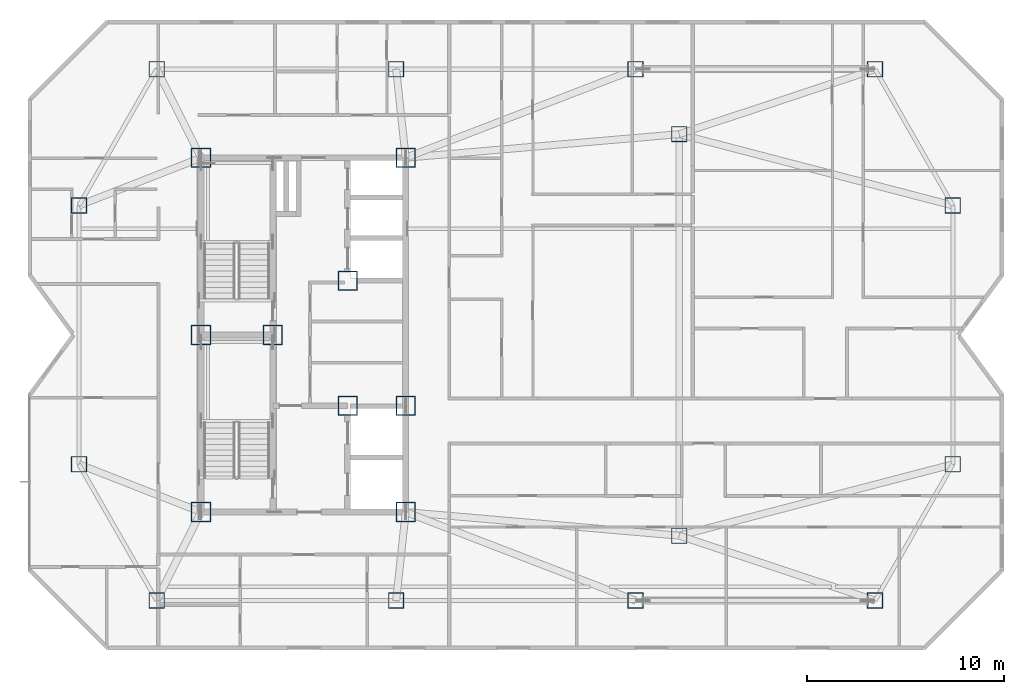
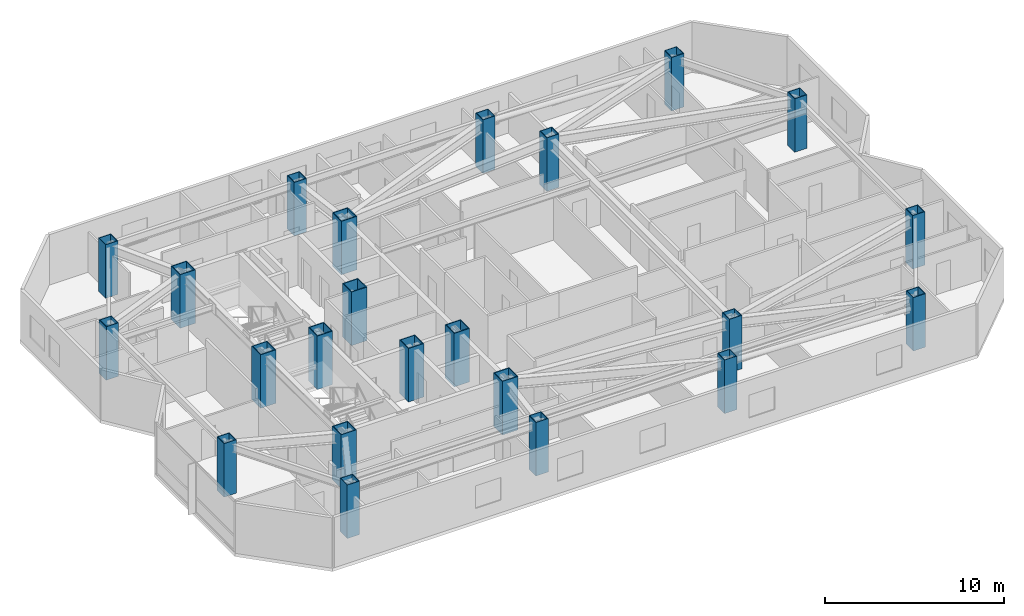
# One storey, part 1 of 14: 23 columns.
"""IFC4 building model written with IfcOpenShell, lengths in metres."""

from ifc_helpers import new_model, si_unit, direction, frame, origin, origin_2d, place, context, subcontext, project, spatial, hollow_rectangle, extrude, material, material_profile, profile_set, type_object, element, save


model = new_model("IFC4")

# Units and contexts
model_context = context("Model", 3, precision=1e-05, world=origin(), true_north=direction((0.0, 1.0)))
body_context = subcontext(model_context, "Body", "Model", "MODEL_VIEW")
ifc_project = project(units=[si_unit("LENGTHUNIT", "METRE"), si_unit("AREAUNIT", "SQUARE_METRE"), si_unit("VOLUMEUNIT", "CUBIC_METRE"), si_unit("PLANEANGLEUNIT", "RADIAN"), si_unit("MASSUNIT", "GRAM", prefix="KILO")], contexts=[model_context])

# Site, building, storey
site_placement = place(None, origin())
site = spatial("IfcSite", under=ifc_project, at=site_placement, CompositionType="ELEMENT")
building_placement = place(site_placement, origin())
building = spatial("IfcBuilding", under=site, at=building_placement, Name="Khamvora Tower", CompositionType="ELEMENT")
storey_placement = place(building_placement, frame((0.0, 0.0, 253.699951171875)))
storey = spatial("IfcBuildingStorey", under=building, at=storey_placement, Name="L65", CompositionType="ELEMENT", Elevation=253.699951171875)

# Columns
ifc_material_1 = material(Name="Steel S355", Category="steel")
ifc_material_profile_1 = material_profile(ifc_material_1, hollow_rectangle(XDim=0.800048828125, YDim=0.800048828125, WallThickness=0.0400390625, at=origin_2d()), Name="BOX800x800x40")
ifc_profile_set_1 = profile_set([ifc_material_profile_1], Name="Steel S355")
column_type_1 = type_object("IfcColumnType", Name="COL-BOX800", PredefinedType="COLUMN", material=ifc_profile_set_1)
for number, where, z_axis, x_axis, name in (
    (1, (26.75, 14.5, 0.0), (0.0, 0.0, 1.0), (1.0, 0.0, 0.0), "L65 structural frame column S1"),
    (2, (38.9169921875, 14.5, 0.0), (0.0, 0.0, 1.0), (1.0, 0.0, 0.0), "L65 structural frame column S2"),
    (3, (51.0830078125, 14.5, 0.0), (0.0, 0.0, 1.0), (1.0, 0.0, 0.0), "L65 structural frame column S3"),
    (4, (63.25, 14.5, 0.0), (0.0, 0.0, 1.0), (1.0, 0.0, 0.0), "L65 structural frame column S4"),
    (5, (26.75, 41.5, 0.0), (0.0, 0.0, 1.0), (1.0, 0.0, 0.0), "L65 structural frame column N1"),
    (6, (38.9169921875, 41.5, 0.0), (0.0, 0.0, 1.0), (1.0, 0.0, 0.0), "L65 structural frame column N2"),
    (7, (51.0830078125, 41.5, 0.0), (0.0, 0.0, 1.0), (1.0, 0.0, 0.0), "L65 structural frame column N3"),
    (8, (63.25, 41.5, 0.0), (0.0, 0.0, 1.0), (1.0, 0.0, 0.0), "L65 structural frame column N4"),
    (9, (22.800048828125, 21.425048828125, 0.0), (0.0, 0.0, 1.0), (1.0, 0.0, 0.0), "L65 structural frame column W1"),
    (10, (22.800048828125, 34.574951171875, 0.0), (0.0, 0.0, 1.0), (1.0, 0.0, 0.0), "L65 structural frame column W2"),
    (11, (67.199951171875, 21.425048828125, 0.0), (0.0, 0.0, 1.0), (1.0, 0.0, 0.0), "L65 structural frame column E1"),
    (12, (67.199951171875, 34.574951171875, 0.0), (0.0, 0.0, 1.0), (1.0, 0.0, 0.0), "L65 structural frame column E2"),
    (13, (53.300048828125, 17.800048828125, 0.0), (0.0, 0.0, 1.0), (1.0, 0.0, 0.0), "L65 structural frame column M1"),
    (14, (53.300048828125, 38.199951171875, 0.0), (0.0, 0.0, 1.0), (1.0, 0.0, 0.0), "L65 structural frame column M2"),
):
    element("IfcColumn", number, at=place(storey_placement, frame(where, z_axis=z_axis, x_axis=x_axis)), inside=storey, type_object=column_type_1, Name=name, PredefinedType="COLUMN", context=body_context, shape_type="SweptSolid", body=[
        extrude(hollow_rectangle(XDim=0.800048828125, YDim=0.800048828125, WallThickness=0.0400390625, at=origin_2d()), origin(), (0.0, 0.0, 1.0), 3.650146484375),
    ])
ifc_material_2 = material(Name="Structural Steel S460ML", Category="steel")
ifc_material_profile_2 = material_profile(ifc_material_2, hollow_rectangle(XDim=1.0, YDim=1.0, WallThickness=0.050048828125, at=origin_2d()), Name="BOX1000x1000x50")
ifc_profile_set_2 = profile_set([ifc_material_profile_2], Name="Structural Steel S460ML")
column_type_2 = type_object("IfcColumnType", Name="COL-SC-BOX1000", PredefinedType="COLUMN", material=ifc_profile_set_2)
for number, where, z_axis, x_axis, name in (
    (15, (29.0, 19.0, 0.0), (0.0, 0.0, 1.0), (1.0, 0.0, 0.0), "L65 plumb core spine column SC1"),
    (16, (32.64990234375, 28.0, 0.0), (0.0, 0.0, 1.0), (1.0, 0.0, 0.0), "L65 plumb core spine column SC2"),
    (17, (39.39990234375, 19.0, 0.0), (0.0, 0.0, 1.0), (1.0, 0.0, 0.0), "L65 plumb core spine column SC3"),
    (18, (29.0, 28.0, 0.0), (0.0, 0.0, 1.0), (1.0, 0.0, 0.0), "L65 plumb core spine column SC4"),
    (19, (36.449951171875, 24.39990234375, 0.0), (0.0, 0.0, 1.0), (1.0, 0.0, 0.0), "L65 plumb core spine column SC5"),
    (20, (39.39990234375, 24.39990234375, 0.0), (0.0, 0.0, 1.0), (1.0, 0.0, 0.0), "L65 plumb core spine column SC6"),
    (21, (29.0, 37.0, 0.0), (0.0, 0.0, 1.0), (1.0, 0.0, 0.0), "L65 plumb core spine column SC7"),
    (22, (36.449951171875, 30.75, 0.0), (0.0, 0.0, 1.0), (1.0, 0.0, 0.0), "L65 plumb core spine column SC8"),
    (23, (39.39990234375, 37.0, 0.0), (0.0, 0.0, 1.0), (1.0, 0.0, 0.0), "L65 plumb core spine column SC9"),
):
    element("IfcColumn", number, at=place(storey_placement, frame(where, z_axis=z_axis, x_axis=x_axis)), inside=storey, type_object=column_type_2, Name=name, PredefinedType="COLUMN", context=body_context, shape_type="SweptSolid", body=[
        extrude(hollow_rectangle(XDim=1.0, YDim=1.0, WallThickness=0.050048828125, at=origin_2d()), origin(), (0.0, 0.0, 1.0), 3.650146484375),
    ])

save(model, "model.ifc")
